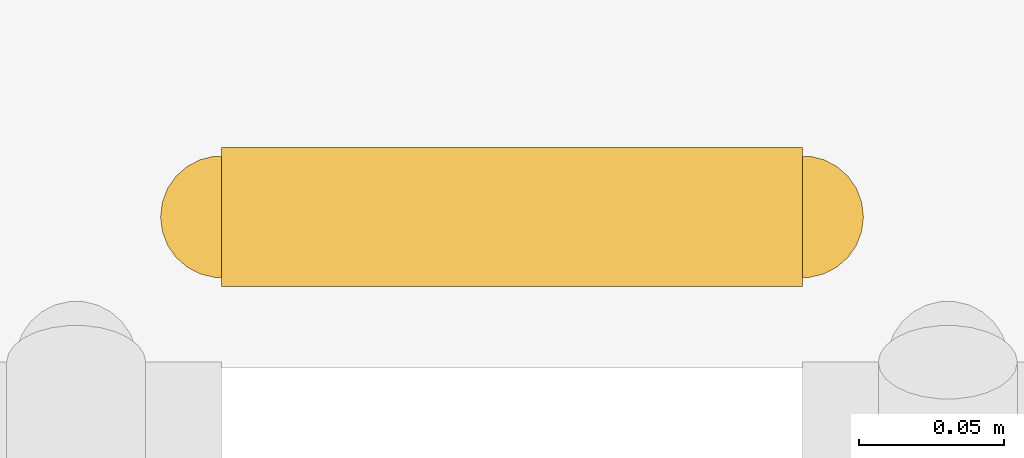
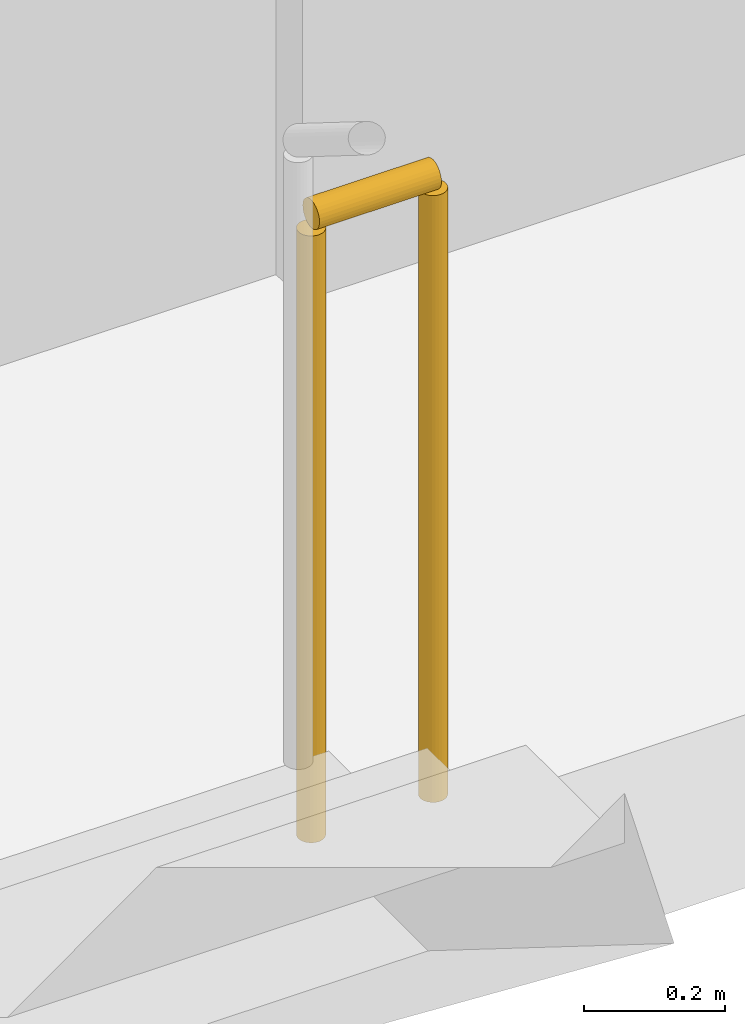
# One storey, part 21 of 23: 1 railing.
"""IFC4 building model written with IfcOpenShell, lengths in metres."""

from ifc_helpers import new_model, si_unit, direction, frame, origin, origin_2d, place, context, subcontext, project, spatial, circle, extrude, material, type_object, element, save


model = new_model("IFC4")

# Units and contexts
model_context = context("Model", 3, precision=1e-05, world=origin(), true_north=direction((0.0, 1.0)))
body_context = subcontext(model_context, "Body", "Model", "MODEL_VIEW")
ifc_project = project(units=[si_unit("LENGTHUNIT", "METRE"), si_unit("AREAUNIT", "SQUARE_METRE"), si_unit("VOLUMEUNIT", "CUBIC_METRE"), si_unit("PLANEANGLEUNIT", "RADIAN"), si_unit("MASSUNIT", "GRAM", prefix="KILO")], contexts=[model_context])

# Site, building, storey
site_placement = place(None, origin())
site = spatial("IfcSite", under=ifc_project, at=site_placement, CompositionType="ELEMENT")
building_placement = place(site_placement, origin())
building = spatial("IfcBuilding", under=site, at=building_placement, Name="Kiln Ring Residences", CompositionType="ELEMENT")
storey_placement = place(building_placement, frame((0.0, 0.0, 86.800048828125)))
storey = spatial("IfcBuildingStorey", under=building, at=storey_placement, Name="L21", CompositionType="ELEMENT", Elevation=86.800048828125)

# Railing
ifc_material = material(Name="Stainless steel", Category="steel")
railing_type = type_object("IfcRailingType", Name="CORE-STAIR-GUARD", PredefinedType="GUARDRAIL", material=ifc_material)
railing_placement = place(storey_placement, frame((-22.199951171875, 8.449951171875, 0.0)))
element("IfcRailing", 1, at=railing_placement, inside=storey, type_object=railing_type, Name="L21 W-STN stair guard 4", PredefinedType="GUARDRAIL", context=body_context, shape_type="SweptSolid", body=[
    extrude(circle(Radius=0.02392578125, at=origin_2d()), frame((0.0, 0.0, 1.076171875), z_axis=(1.0, 0.0, 0.0), x_axis=(0.0, 1.0, 0.0)), (0.0, 0.0, 1.0), 0.199951171875),
    extrude(circle(Radius=0.02099609375, at=origin_2d()), origin(), (0.0, 0.0, 1.0), 1.052001953125),
    extrude(circle(Radius=0.02099609375, at=origin_2d()), frame((0.199951171875, 0.0, 0.0)), (0.0, 0.0, 1.0), 1.052001953125),
])

save(model, "model.ifc")
